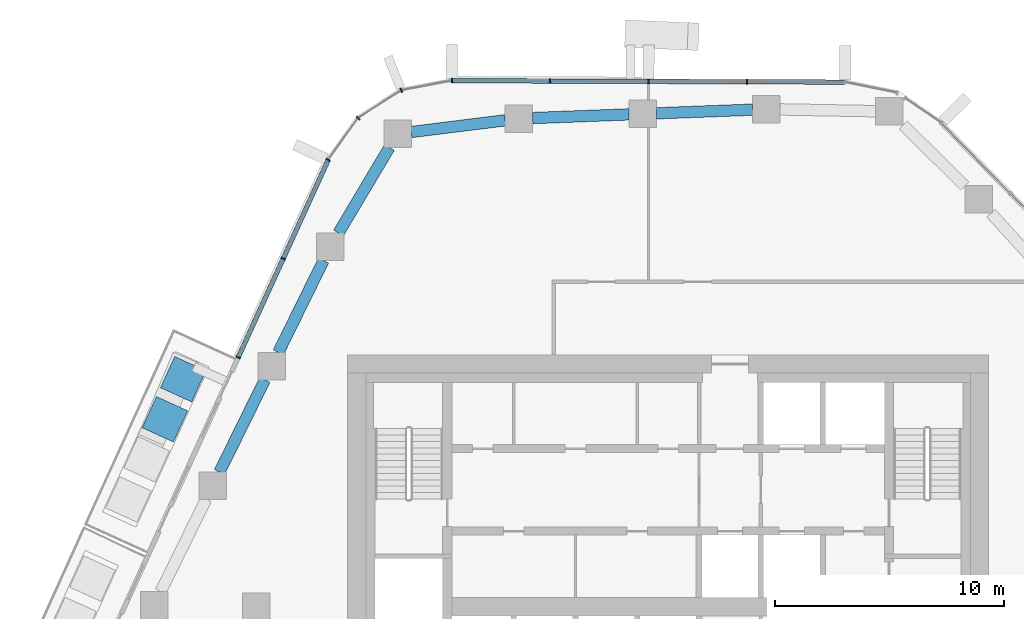
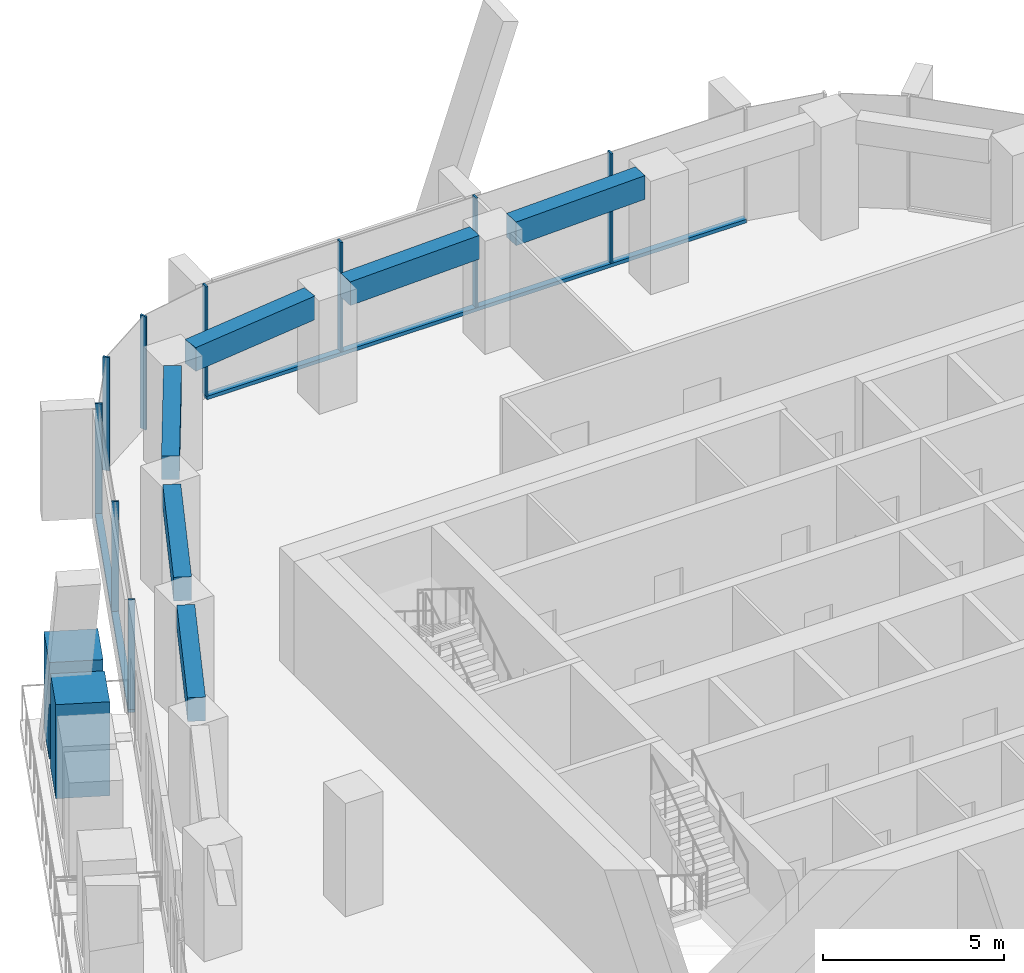
# One storey, part 5 of 19: 13 members, 6 beams, 3 elements without a shape of their own.
"""IFC4 building model written with IfcOpenShell, lengths in metres."""

from ifc_helpers import new_model, si_unit, direction, frame, origin, origin_2d, place, context, subcontext, project, spatial, rectangle, extrude, material, layer, layer_set, material_profile, profile_set, type_object, element, aggregate, save


model = new_model("IFC4")

# Units and contexts
model_context = context("Model", 3, precision=1e-05, world=origin(), true_north=direction((0.0, 1.0)))
body_context = subcontext(model_context, "Body", "Model", "MODEL_VIEW")
ifc_project = project(units=[si_unit("LENGTHUNIT", "METRE"), si_unit("AREAUNIT", "SQUARE_METRE"), si_unit("VOLUMEUNIT", "CUBIC_METRE"), si_unit("PLANEANGLEUNIT", "RADIAN"), si_unit("MASSUNIT", "GRAM", prefix="KILO")], contexts=[model_context])

# Site, building, storey
site_placement = place(None, origin())
site = spatial("IfcSite", under=ifc_project, at=site_placement, CompositionType="ELEMENT")
building_placement = place(site_placement, origin())
building = spatial("IfcBuilding", under=site, at=building_placement, Name="Dongbaek Canopy Tower", CompositionType="ELEMENT")
storey_placement = place(building_placement, frame((0.0, 0.0, 207.199951171875)))
storey = spatial("IfcBuildingStorey", under=building, at=storey_placement, Name="L43", CompositionType="ELEMENT", Elevation=207.199951171875)

# Curtain wall, members
ifc_material_1 = material(Name="Aluminium 6063-T6 pale anodised", Category="aluminium")
ifc_layer = layer(ifc_material_1, 0.199951171875)
ifc_layer_set = layer_set([ifc_layer], Name="CW-1 unitised tower curtain wall")
curtain_wall_type = type_object("IfcCurtainWallType", Name="CW-1 unitised tower curtain wall", PredefinedType="NOTDEFINED", material=ifc_layer_set)
curtain_wall_1_placement = place(storey_placement, origin())
curtain_wall_1 = element("IfcCurtainWall", 1, at=curtain_wall_1_placement, inside=storey, type_object=curtain_wall_type, Name="CW-1 curtain wall F1.1", PredefinedType="NOTDEFINED")
ifc_material_2 = material(Name="Aluminium 6063-T6 pale anodised", Category="aluminium")
ifc_material_profile_1 = material_profile(ifc_material_2, rectangle(XDim=0.199951171875, YDim=0.06005859375, at=origin_2d()), Name="CW-1 mullion 60 x 200")
ifc_profile_set_1 = profile_set([ifc_material_profile_1], Name="Aluminium 6063-T6 pale anodised")
member_type_1 = type_object("IfcMemberType", Name="CW-1 mullion 60 x 200", PredefinedType="MULLION", material=ifc_profile_set_1)
member_1_placement = place(storey_placement, frame((3.4384765625, 22.9326171875, 0.1201171875), z_axis=(0.0, 0.0, 1.0), x_axis=(0.003675442583, 0.999993245538, 0.0)))
member_1 = element("IfcMember", 2, at=member_1_placement, type_object=member_type_1, Name="CW-1 mullion F1.1.2", PredefinedType="MULLION", context=body_context, shape_type="SweptSolid", body=[
    extrude(rectangle(XDim=0.199951171875, YDim=0.06005859375, at=origin_2d()), origin(), (0.0, 0.0, 1.0), 3.699951171875),
])
member_2_placement = place(storey_placement, frame((-0.86083984375, 22.948486328125, 0.1201171875), z_axis=(0.0, 0.0, 1.0), x_axis=(0.003675442583, 0.999993245538, 0.0)))
member_2 = element("IfcMember", 3, at=member_2_placement, type_object=member_type_1, Name="CW-1 mullion F1.1.3", PredefinedType="MULLION", context=body_context, shape_type="SweptSolid", body=[
    extrude(rectangle(XDim=0.199951171875, YDim=0.06005859375, at=origin_2d()), origin(), (0.0, 0.0, 1.0), 3.699951171875),
])
member_3_placement = place(storey_placement, frame((-5.16015625, 22.96435546875, 0.1201171875), z_axis=(0.0, 0.0, 1.0), x_axis=(0.003675442583, 0.999993245538, 0.0)))
member_3 = element("IfcMember", 4, at=member_3_placement, type_object=member_type_1, Name="CW-1 mullion F1.1.4", PredefinedType="MULLION", context=body_context, shape_type="SweptSolid", body=[
    extrude(rectangle(XDim=0.199951171875, YDim=0.06005859375, at=origin_2d()), origin(), (0.0, 0.0, 1.0), 3.699951171875),
])
member_4_placement = place(storey_placement, frame((-9.44970703125, 22.97998046875, 0.1201171875), z_axis=(0.0, 0.0, 1.0), x_axis=(0.003675442583, 0.999993245538, 0.0)))
member_4 = element("IfcMember", 5, at=member_4_placement, type_object=member_type_1, Name="CW-1 mullion F1.1.5", PredefinedType="MULLION", context=body_context, shape_type="SweptSolid", body=[
    extrude(rectangle(XDim=0.199951171875, YDim=0.06005859375, at=origin_2d()), origin(), (0.0, 0.0, 1.0), 3.699951171875),
])

curtain_wall_2_placement = place(storey_placement, origin())
curtain_wall_2 = element("IfcCurtainWall", 6, at=curtain_wall_2_placement, inside=storey, type_object=curtain_wall_type, Name="CW-1 curtain wall K2.1", PredefinedType="NOTDEFINED")
member_5_placement = place(storey_placement, frame((-11.660888671875, 22.560546875, 0.0), z_axis=(0.0, 0.0, 1.0), x_axis=(-0.369611132815, 0.929186531596, 0.0)))
member_5 = element("IfcMember", 7, at=member_5_placement, type_object=member_type_1, Name="CW-1 mullion K2.1.2", PredefinedType="MULLION", context=body_context, shape_type="SweptSolid", body=[
    extrude(rectangle(XDim=0.199951171875, YDim=0.06005859375, at=origin_2d()), origin(), (0.0, 0.0, 1.0), 3.820068359375),
])
member_6_placement = place(storey_placement, frame((-13.5478515625, 21.351806640625, 0.0), z_axis=(0.0, 0.0, 1.0), x_axis=(-0.689541954214, 0.724245741015, 0.0)))
member_6 = element("IfcMember", 8, at=member_6_placement, type_object=member_type_1, Name="CW-1 mullion K2.1.3", PredefinedType="MULLION", context=body_context, shape_type="SweptSolid", body=[
    extrude(rectangle(XDim=0.199951171875, YDim=0.06005859375, at=origin_2d()), origin(), (0.0, 0.0, 1.0), 3.820068359375),
])
member_7_placement = place(storey_placement, frame((-14.853515625, 19.5185546875, 0.0), z_axis=(0.0, 0.0, 1.0), x_axis=(-0.814571085376, 0.580063743798, 0.0)))
member_7 = element("IfcMember", 9, at=member_7_placement, type_object=member_type_1, Name="CW-1 mullion K2.1.4", PredefinedType="MULLION", context=body_context, shape_type="SweptSolid", body=[
    extrude(rectangle(XDim=0.199951171875, YDim=0.06005859375, at=origin_2d()), origin(), (0.0, 0.0, 1.0), 3.820068359375),
])
aggregate(curtain_wall_2, [member_5, member_6, member_7])

curtain_wall_3_placement = place(storey_placement, origin())
curtain_wall_3 = element("IfcCurtainWall", 10, at=curtain_wall_3_placement, inside=storey, type_object=curtain_wall_type, Name="CW-1 curtain wall F2.1", PredefinedType="NOTDEFINED")
member_8_placement = place(storey_placement, frame((-16.818603515625, 15.207275390625, 0.1201171875), z_axis=(0.0, 0.0, 1.0), x_axis=(-0.909932941374, 0.414755400449, 0.0)))
member_8 = element("IfcMember", 11, at=member_8_placement, type_object=member_type_1, Name="CW-1 mullion F2.1.2", PredefinedType="MULLION", context=body_context, shape_type="SweptSolid", body=[
    extrude(rectangle(XDim=0.199951171875, YDim=0.06005859375, at=origin_2d()), origin(), (0.0, 0.0, 1.0), 3.699951171875),
])
member_9_placement = place(storey_placement, frame((-18.78759765625, 10.88720703125, 0.1201171875), z_axis=(0.0, 0.0, 1.0), x_axis=(-0.909932941374, 0.414755400449, 0.0)))
member_9 = element("IfcMember", 12, at=member_9_placement, type_object=member_type_1, Name="CW-1 mullion F2.1.3", PredefinedType="MULLION", context=body_context, shape_type="SweptSolid", body=[
    extrude(rectangle(XDim=0.199951171875, YDim=0.06005859375, at=origin_2d()), origin(), (0.0, 0.0, 1.0), 3.699951171875),
])

# Member
ifc_material_3 = material(Name="Aluminium 6063-T6 pale anodised", Category="aluminium")
ifc_material_profile_2 = material_profile(ifc_material_3, rectangle(XDim=0.199951171875, YDim=0.1201171875, at=origin_2d()), Name="CW-1 transom 120 x 200")
ifc_profile_set_2 = profile_set([ifc_material_profile_2], Name="Aluminium 6063-T6 pale anodised")
member_type_2 = type_object("IfcMemberType", Name="CW-1 transom 120 x 200", PredefinedType="USERDEFINED", material=ifc_profile_set_2)
member_10_placement = place(storey_placement, frame((7.727783203125, 22.9169921875, 0.06005859375), z_axis=(-0.99999327696, 0.003666883632, 0.0), x_axis=(-0.003666883632, -0.99999327696, 0.0)))
member_10 = element("IfcMember", 13, at=member_10_placement, type_object=member_type_2, Name="CW-1 transom F1.1.1", ObjectType="TRANSOM", PredefinedType="USERDEFINED", context=body_context, shape_type="SweptSolid", body=[
    extrude(rectangle(XDim=0.199951171875, YDim=0.1201171875, at=origin_2d()), origin(), (0.0, 0.0, 1.0), 17.177490234375),
])

aggregate(curtain_wall_1, [member_1, member_2, member_3, member_4, member_10])

member_11_placement = place(storey_placement, frame((-14.853515625, 19.5185546875, 0.06005859375), z_axis=(-0.414741278018, -0.90993937837, 0.0), x_axis=(0.90993937837, -0.414741278018, 0.0)))
member_11 = element("IfcMember", 14, at=member_11_placement, type_object=member_type_2, Name="CW-1 transom F2.1.1", ObjectType="TRANSOM", PredefinedType="USERDEFINED", context=body_context, shape_type="SweptSolid", body=[
    extrude(rectangle(XDim=0.199951171875, YDim=0.1201171875, at=origin_2d()), origin(), (0.0, 0.0, 1.0), 9.485595703125),
])

aggregate(curtain_wall_3, [member_8, member_9, member_11])

# Beams
ifc_material_4 = material(Name="Concrete C70", Category="concrete")
ifc_material_profile_3 = material_profile(ifc_material_4, rectangle(XDim=0.5, YDim=0.800048828125, at=origin_2d()), Name="RC EDGE BEAM 500x800 C70")
ifc_profile_set_3 = profile_set([ifc_material_profile_3], Name="Concrete C70")
beam_type = type_object("IfcBeamType", Name="RC EDGE BEAM 500x800 C70", PredefinedType="BEAM", material=ifc_profile_set_3)
beam_1_placement = place(storey_placement, frame((-19.6005859375, 5.886962890625, 3.420166015625), z_axis=(0.441534821152, 0.897244114893, 0.0), x_axis=(-0.897244114893, 0.441534821152, 0.0)))
element("IfcBeam", 15, at=beam_1_placement, inside=storey, type_object=beam_type, Name="EDGEBEAM:L43:10", PredefinedType="BEAM", context=body_context, shape_type="SweptSolid", body=[
    extrude(rectangle(XDim=0.5, YDim=0.800048828125, at=origin_2d()), origin(), (0.0, 0.0, 1.0), 4.478271484375),
])
beam_2_placement = place(storey_placement, frame((-17.032958984375, 11.10498046875, 3.420166015625), z_axis=(0.441228982876, 0.89739455351, 0.0), x_axis=(-0.89739455351, 0.441228982876, 0.0)))
element("IfcBeam", 16, at=beam_2_placement, inside=storey, type_object=beam_type, Name="EDGEBEAM:L43:11", PredefinedType="BEAM", context=body_context, shape_type="SweptSolid", body=[
    extrude(rectangle(XDim=0.5, YDim=0.800048828125, at=origin_2d()), origin(), (0.0, 0.0, 1.0), 4.478515625),
])
beam_3_placement = place(storey_placement, frame((-14.40478515625, 16.323974609375, 3.420166015625), z_axis=(0.51151247975, 0.859275848061, 0.0), x_axis=(-0.859275848061, 0.51151247975, 0.0)))
element("IfcBeam", 17, at=beam_3_placement, inside=storey, type_object=beam_type, Name="EDGEBEAM:L43:12", PredefinedType="BEAM", context=body_context, shape_type="SweptSolid", body=[
    extrude(rectangle(XDim=0.5, YDim=0.800048828125, at=origin_2d()), origin(), (0.0, 0.0, 1.0), 4.34912109375),
])
beam_4_placement = place(storey_placement, frame((-11.222900390625, 20.73583984375, 3.420166015625), z_axis=(0.992289687294, 0.123940213368, 0.0), x_axis=(-0.123940213368, 0.992289687294, 0.0)))
element("IfcBeam", 18, at=beam_4_placement, inside=storey, type_object=beam_type, Name="EDGEBEAM:L43:13", PredefinedType="BEAM", context=body_context, shape_type="SweptSolid", body=[
    extrude(rectangle(XDim=0.5, YDim=0.800048828125, at=origin_2d()), origin(), (0.0, 0.0, 1.0), 4.1328125),
])
beam_5_placement = place(storey_placement, frame((-5.922119140625, 21.345947265625, 3.420166015625), z_axis=(0.999268092878, 0.038252824158, 0.0), x_axis=(-0.038252824158, 0.999268092878, 0.0)))
element("IfcBeam", 19, at=beam_5_placement, inside=storey, type_object=beam_type, Name="EDGEBEAM:L43:14", PredefinedType="BEAM", context=body_context, shape_type="SweptSolid", body=[
    extrude(rectangle(XDim=0.5, YDim=0.800048828125, at=origin_2d()), origin(), (0.0, 0.0, 1.0), 4.21240234375),
])
beam_6_placement = place(storey_placement, frame((-0.512939453125, 21.552978515625, 3.420166015625), z_axis=(0.999276508887, 0.0380323387, 0.0), x_axis=(-0.0380323387, 0.999276508887, 0.0)))
element("IfcBeam", 20, at=beam_6_placement, inside=storey, type_object=beam_type, Name="EDGEBEAM:L43:15", PredefinedType="BEAM", context=body_context, shape_type="SweptSolid", body=[
    extrude(rectangle(XDim=0.5, YDim=0.800048828125, at=origin_2d()), origin(), (0.0, 0.0, 1.0), 4.2109375),
])

# Members
ifc_material_5 = material(Name="Concrete C40/50 planter mass with planting", Category="concrete")
ifc_material_profile_4 = material_profile(ifc_material_5, rectangle(XDim=1.5, YDim=1.5, at=origin_2d()), Name="Terrace PLANTER shrub mass 1500 x 1500")
ifc_profile_set_4 = profile_set([ifc_material_profile_4], Name="Concrete C40/50 planter mass with planting")
member_type_3 = type_object("IfcMemberType", Name="Terrace PLANTER shrub mass 1500 x 1500", PredefinedType="USERDEFINED", material=ifc_profile_set_4)
member_12_placement = place(storey_placement, frame((-21.188720703125, 9.935546875, 0.420166015625), z_axis=(0.0, 0.0, 1.0), x_axis=(-0.909932941374, 0.414755400449, 0.0)))
element("IfcMember", 21, at=member_12_placement, inside=storey, type_object=member_type_3, Name="Planter shrubs L43 1.1", ObjectType="PLANTER", PredefinedType="USERDEFINED", context=body_context, shape_type="SweptSolid", body=[
    extrude(rectangle(XDim=1.5, YDim=1.5, at=origin_2d()), origin(), (0.0, 0.0, 1.0), 3.25),
])
member_13_placement = place(storey_placement, frame((-21.986572265625, 8.18505859375, 0.420166015625), z_axis=(0.0, 0.0, 1.0), x_axis=(-0.909932941374, 0.414755400449, 0.0)))
element("IfcMember", 22, at=member_13_placement, inside=storey, type_object=member_type_3, Name="Planter shrubs L43 1.2", ObjectType="PLANTER", PredefinedType="USERDEFINED", context=body_context, shape_type="SweptSolid", body=[
    extrude(rectangle(XDim=1.5, YDim=1.5, at=origin_2d()), origin(), (0.0, 0.0, 1.0), 3.169921875),
])

save(model, "model.ifc")
